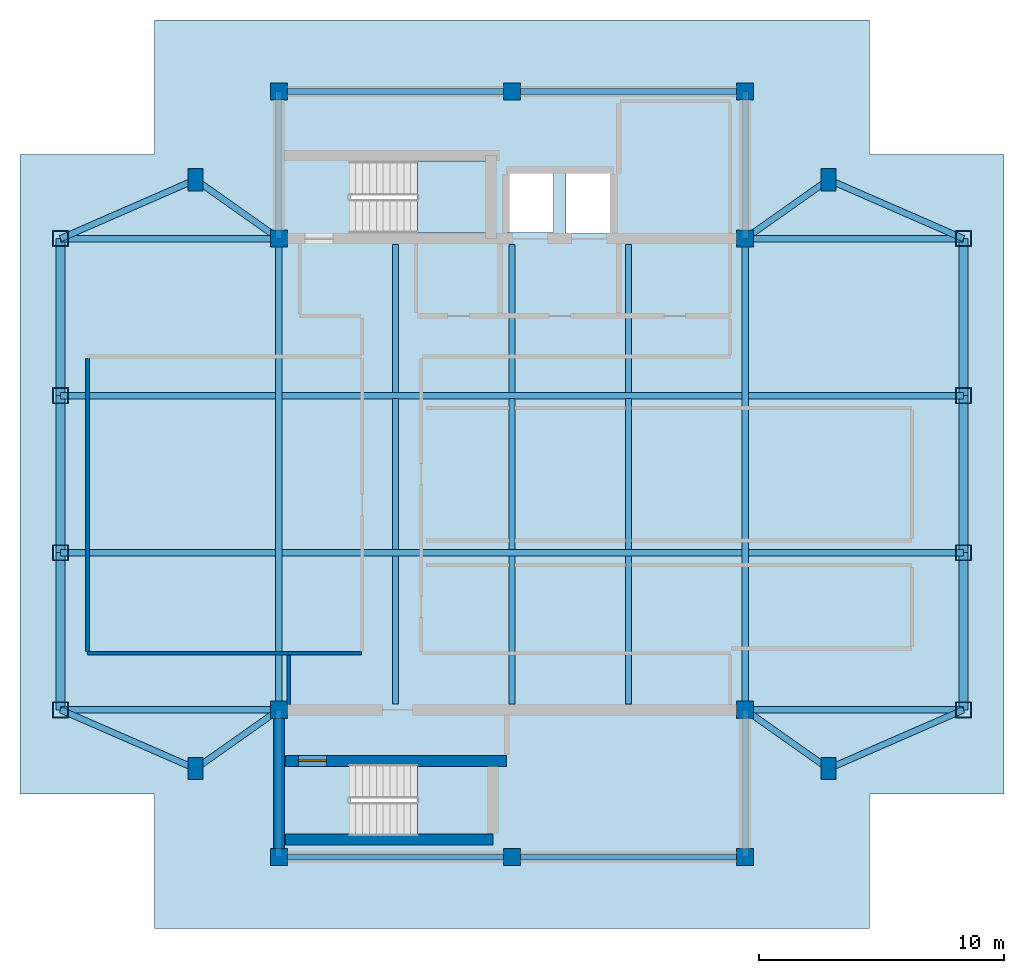
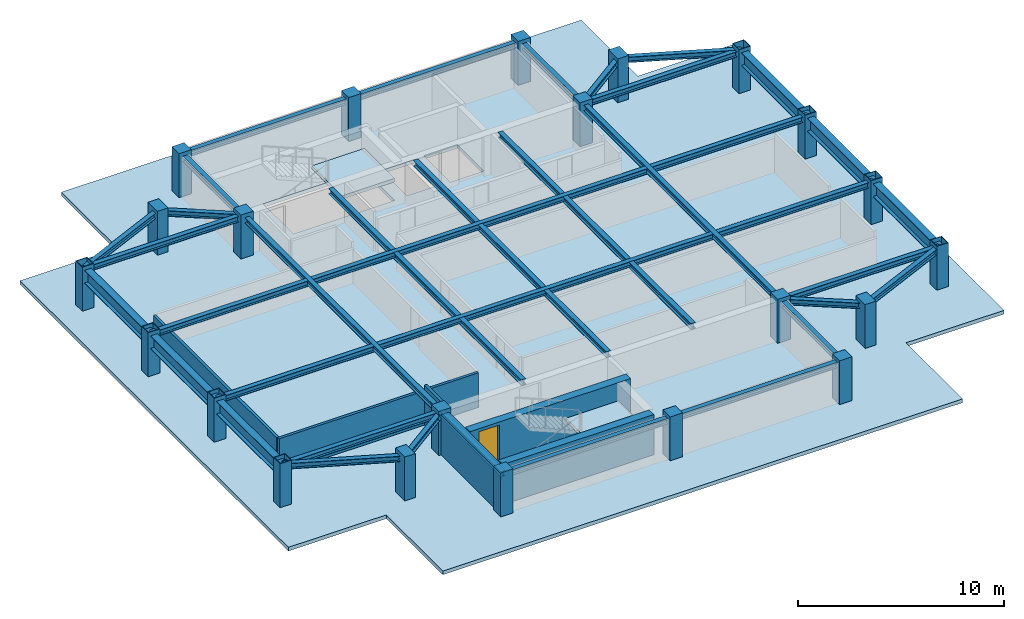
# One storey, part 1 of 4: 43 beams, 22 columns, 6 walls, 3 slabs, 1 door, 1 opening, 2 elements without a shape of their own.
"""IFC4 building model written with IfcOpenShell, lengths in metres."""

from ifc_helpers import new_model, si_unit, direction, frame, frame_2d, origin, origin_2d, place, context, subcontext, project, spatial, polyline, rectangle, hollow_rectangle, i_section, outline, extrude, material, layer, layer_set, material_profile, profile_set, type_object, element, fill, aggregate, save


model = new_model("IFC4")

# Units and contexts
model_context = context("Model", 3, precision=1e-05, world=origin(), true_north=direction((0.0, 1.0)))
body_context = subcontext(model_context, "Body", "Model", "MODEL_VIEW")
ifc_project = project(units=[si_unit("LENGTHUNIT", "METRE"), si_unit("AREAUNIT", "SQUARE_METRE"), si_unit("VOLUMEUNIT", "CUBIC_METRE"), si_unit("PLANEANGLEUNIT", "RADIAN"), si_unit("MASSUNIT", "GRAM", prefix="KILO")], contexts=[model_context])

# Site, building, storey
site_placement = place(None, origin())
site = spatial("IfcSite", under=ifc_project, at=site_placement, CompositionType="ELEMENT")
building_placement = place(site_placement, origin())
building = spatial("IfcBuilding", under=site, at=building_placement, Name="Mirazonda Arch Towers", CompositionType="ELEMENT")
storey_placement = place(building_placement, frame((0.0, 0.0, 268.699951171875)))
storey = spatial("IfcBuildingStorey", under=building, at=storey_placement, Name="L77", CompositionType="ELEMENT", Elevation=268.699951171875)

# Columns
ifc_material_1 = material(Name="Concrete C50/60", Category="concrete")
ifc_material_profile_1 = material_profile(ifc_material_1, rectangle(XDim=0.699951171875, YDim=0.699951171875, at=origin_2d()), Name="RC700x700")
ifc_profile_set_1 = profile_set([ifc_material_profile_1], Name="Concrete C50/60")
column_type_1 = type_object("IfcColumnType", Name="COL-INT-RC700x700", PredefinedType="COLUMN", material=ifc_profile_set_1)
for number, where, z_axis, x_axis, name in (
    (1, (11.0, 12.39990234375, 0.0), (0.0, 0.0, 1.0), (1.0, 0.0, 0.0), "L77 T1 Core Column 01"),
    (2, (20.5, 12.39990234375, 0.0), (0.0, 0.0, 1.0), (1.0, 0.0, 0.0), "L77 T1 Core Column 02"),
    (3, (30.0, 12.39990234375, 0.0), (0.0, 0.0, 1.0), (1.0, 0.0, 0.0), "L77 T1 Core Column 03"),
    (4, (11.0, 18.39990234375, 0.0), (0.0, 0.0, 1.0), (1.0, 0.0, 0.0), "L77 T1 Core Column 04"),
    (5, (30.0, 18.39990234375, 0.0), (0.0, 0.0, 1.0), (1.0, 0.0, 0.0), "L77 T1 Core Column 05"),
    (6, (11.0, 37.60009765625, 0.0), (0.0, 0.0, 1.0), (1.0, 0.0, 0.0), "L77 T1 Core Column 06"),
    (7, (30.0, 37.60009765625, 0.0), (0.0, 0.0, 1.0), (1.0, 0.0, 0.0), "L77 T1 Core Column 07"),
    (8, (11.0, 43.60009765625, 0.0), (0.0, 0.0, 1.0), (1.0, 0.0, 0.0), "L77 T1 Core Column 08"),
    (9, (20.5, 43.60009765625, 0.0), (0.0, 0.0, 1.0), (1.0, 0.0, 0.0), "L77 T1 Core Column 09"),
    (10, (30.0, 43.60009765625, 0.0), (0.0, 0.0, 1.0), (1.0, 0.0, 0.0), "L77 T1 Core Column 10"),
):
    element("IfcColumn", number, at=place(storey_placement, frame(where, z_axis=z_axis, x_axis=x_axis)), inside=storey, type_object=column_type_1, Name=name, PredefinedType="COLUMN", context=body_context, shape_type="SweptSolid", body=[
        extrude(rectangle(XDim=0.699951171875, YDim=0.699951171875, at=origin_2d()), origin(), (0.0, 0.0, 1.0), 2.60009765625),
    ])
ifc_material_2 = material(Name="Steel ASTM A572 Grade 50", Category="steel")
ifc_material_profile_2 = material_profile(ifc_material_2, hollow_rectangle(XDim=0.64990234375, YDim=0.64990234375, WallThickness=0.035888671875, at=origin_2d()), Name="BOX650x650x36")
ifc_profile_set_2 = profile_set([ifc_material_profile_2], Name="Steel ASTM A572 Grade 50")
column_type_2 = type_object("IfcColumnType", Name="MCOL-EXT-BOX650x650x36", PredefinedType="COLUMN", material=ifc_profile_set_2)
for number, where, z_axis, x_axis, name in (
    (11, (2.10009765625, 18.39990234375, 0.0), (0.0, 0.0, 1.0), (1.0, 0.0, 0.0), "L77 T1 Composite Mega-Column 01"),
    (12, (2.10009765625, 24.800048828125, 0.0), (0.0, 0.0, 1.0), (1.0, 0.0, 0.0), "L77 T1 Composite Mega-Column 02"),
    (13, (2.10009765625, 31.199951171875, 0.0), (0.0, 0.0, 1.0), (1.0, 0.0, 0.0), "L77 T1 Composite Mega-Column 03"),
    (14, (2.10009765625, 37.60009765625, 0.0), (0.0, 0.0, 1.0), (1.0, 0.0, 0.0), "L77 T1 Composite Mega-Column 04"),
    (15, (38.89990234375, 18.39990234375, 0.0), (0.0, 0.0, 1.0), (1.0, 0.0, 0.0), "L77 T1 Composite Mega-Column 05"),
    (16, (38.89990234375, 24.800048828125, 0.0), (0.0, 0.0, 1.0), (1.0, 0.0, 0.0), "L77 T1 Composite Mega-Column 06"),
    (17, (38.89990234375, 31.199951171875, 0.0), (0.0, 0.0, 1.0), (1.0, 0.0, 0.0), "L77 T1 Composite Mega-Column 07"),
    (18, (38.89990234375, 37.60009765625, 0.0), (0.0, 0.0, 1.0), (1.0, 0.0, 0.0), "L77 T1 Composite Mega-Column 08"),
):
    element("IfcColumn", number, at=place(storey_placement, frame(where, z_axis=z_axis, x_axis=x_axis)), inside=storey, type_object=column_type_2, Name=name, PredefinedType="COLUMN", context=body_context, shape_type="SweptSolid", body=[
        extrude(hollow_rectangle(XDim=0.64990234375, YDim=0.64990234375, WallThickness=0.035888671875, at=origin_2d()), origin(), (0.0, 0.0, 1.0), 2.60009765625),
    ])
ifc_material_profile_3 = material_profile(ifc_material_1, rectangle(XDim=0.60009765625, YDim=0.89990234375, at=origin_2d()), Name="RC900x600")
ifc_profile_set_3 = profile_set([ifc_material_profile_3], Name="Concrete C50/60")
column_type_3 = type_object("IfcColumnType", Name="PIL-EXT-RC900x600", PredefinedType="PILASTER", material=ifc_profile_set_3)
for number, where, z_axis, x_axis, name in (
    (19, (7.60009765625, 16.0, 0.0), (0.0, 0.0, 1.0), (1.0, 0.0, 0.0), "L77 T1 Corner Pilaster 01"),
    (20, (33.39990234375, 16.0, 0.0), (0.0, 0.0, 1.0), (1.0, 0.0, 0.0), "L77 T1 Corner Pilaster 02"),
    (21, (7.60009765625, 40.0, 0.0), (0.0, 0.0, 1.0), (1.0, 0.0, 0.0), "L77 T1 Corner Pilaster 03"),
    (22, (33.39990234375, 40.0, 0.0), (0.0, 0.0, 1.0), (1.0, 0.0, 0.0), "L77 T1 Corner Pilaster 04"),
):
    element("IfcColumn", number, at=place(storey_placement, frame(where, z_axis=z_axis, x_axis=x_axis)), inside=storey, type_object=column_type_3, Name=name, PredefinedType="PILASTER", context=body_context, shape_type="SweptSolid", body=[
        extrude(rectangle(XDim=0.60009765625, YDim=0.89990234375, at=origin_2d()), origin(), (0.0, 0.0, 1.0), 2.60009765625),
    ])

# Beams
ifc_material_3 = material(Name="Steel ASTM A992 Grade 50", Category="steel")
ifc_material_profile_4 = material_profile(ifc_material_3, i_section(OverallWidth=0.381103515625, OverallDepth=0.77294921875, WebThickness=0.0166015625, FlangeThickness=0.027099609375, at=origin_2d()), Name="W30X173")
ifc_profile_set_4 = profile_set([ifc_material_profile_4], Name="Steel ASTM A992 Grade 50")
beam_type_1 = type_object("IfcBeamType", Name="BM-EXT-W30X173", PredefinedType="USERDEFINED", material=ifc_profile_set_4)
beam_1_placement = place(storey_placement, frame((2.10009765625, 18.39990234375, 1.99365234375), z_axis=(0.0, 1.0, 0.0), x_axis=(-1.0, 0.0, 0.0)))
element("IfcBeam", 23, at=beam_1_placement, inside=storey, type_object=beam_type_1, Name="L77 Floor Beam BMC-T1-L77-NS-W-18", ObjectType="GIRDER", PredefinedType="USERDEFINED", context=body_context, shape_type="SweptSolid", body=[
    extrude(i_section(OverallWidth=0.381103515625, OverallDepth=0.77294921875, WebThickness=0.0166015625, FlangeThickness=0.027099609375, at=origin_2d()), origin(), (0.0, 0.0, 1.0), 6.400146484375),
])
beam_2_placement = place(storey_placement, frame((2.10009765625, 24.800048828125, 1.99365234375), z_axis=(0.0, 1.0, 0.0), x_axis=(-1.0, 0.0, 0.0)))
element("IfcBeam", 24, at=beam_2_placement, inside=storey, type_object=beam_type_1, Name="L77 Floor Beam BMC-T1-L77-NS-W-24", ObjectType="GIRDER", PredefinedType="USERDEFINED", context=body_context, shape_type="SweptSolid", body=[
    extrude(i_section(OverallWidth=0.381103515625, OverallDepth=0.77294921875, WebThickness=0.0166015625, FlangeThickness=0.027099609375, at=origin_2d()), origin(), (0.0, 0.0, 1.0), 6.39990234375),
])
for number, where, z_axis, x_axis, name in (
    (25, (2.10009765625, 31.199951171875, 1.99365234375), (0.0, 1.0, 0.0), (-1.0, 0.0, 0.0), "L77 Floor Beam BMC-T1-L77-NS-W-31"),
    (26, (38.89990234375, 18.39990234375, 1.99365234375), (0.0, 1.0, 0.0), (-1.0, 0.0, 0.0), "L77 Floor Beam BMC-T1-L77-NS-E-18"),
):
    element("IfcBeam", number, at=place(storey_placement, frame(where, z_axis=z_axis, x_axis=x_axis)), inside=storey, type_object=beam_type_1, Name=name, ObjectType="GIRDER", PredefinedType="USERDEFINED", context=body_context, shape_type="SweptSolid", body=[
        extrude(i_section(OverallWidth=0.381103515625, OverallDepth=0.77294921875, WebThickness=0.0166015625, FlangeThickness=0.027099609375, at=origin_2d()), origin(), (0.0, 0.0, 1.0), 6.400146484375),
    ])
beam_3_placement = place(storey_placement, frame((38.89990234375, 24.800048828125, 1.99365234375), z_axis=(0.0, 1.0, 0.0), x_axis=(-1.0, 0.0, 0.0)))
element("IfcBeam", 27, at=beam_3_placement, inside=storey, type_object=beam_type_1, Name="L77 Floor Beam BMC-T1-L77-NS-E-24", ObjectType="GIRDER", PredefinedType="USERDEFINED", context=body_context, shape_type="SweptSolid", body=[
    extrude(i_section(OverallWidth=0.381103515625, OverallDepth=0.77294921875, WebThickness=0.0166015625, FlangeThickness=0.027099609375, at=origin_2d()), origin(), (0.0, 0.0, 1.0), 6.39990234375),
])
beam_4_placement = place(storey_placement, frame((38.89990234375, 31.199951171875, 1.99365234375), z_axis=(0.0, 1.0, 0.0), x_axis=(-1.0, 0.0, 0.0)))
element("IfcBeam", 28, at=beam_4_placement, inside=storey, type_object=beam_type_1, Name="L77 Floor Beam BMC-T1-L77-NS-E-31", ObjectType="GIRDER", PredefinedType="USERDEFINED", context=body_context, shape_type="SweptSolid", body=[
    extrude(i_section(OverallWidth=0.381103515625, OverallDepth=0.77294921875, WebThickness=0.0166015625, FlangeThickness=0.027099609375, at=origin_2d()), origin(), (0.0, 0.0, 1.0), 6.400146484375),
])
ifc_material_profile_5 = material_profile(ifc_material_3, i_section(OverallWidth=0.257080078125, OverallDepth=0.330078125, WebThickness=0.011962890625, FlangeThickness=0.01953125, at=origin_2d()), Name="W10X68")
ifc_profile_set_5 = profile_set([ifc_material_profile_5], Name="Steel ASTM A992 Grade 50")
beam_type_2 = type_object("IfcBeamType", Name="BM-INT-W10X68", PredefinedType="BEAM", material=ifc_profile_set_5)
for number, where, z_axis, x_axis, name in (
    (29, (2.10009765625, 37.60009765625, 2.215087890625), (1.0, 0.0, 0.0), (0.0, 1.0, 0.0), "L77 Floor Beam CBC-T1-L77-NW"),
    (30, (30.0, 37.60009765625, 2.215087890625), (1.0, 0.0, 0.0), (0.0, 1.0, 0.0), "L77 Floor Beam CBC-T1-L77-NE"),
    (31, (2.10009765625, 18.39990234375, 2.215087890625), (1.0, 0.0, 0.0), (0.0, 1.0, 0.0), "L77 Floor Beam CBC-T1-L77-SW"),
    (32, (30.0, 18.39990234375, 2.215087890625), (1.0, 0.0, 0.0), (0.0, 1.0, 0.0), "L77 Floor Beam CBC-T1-L77-SE"),
):
    element("IfcBeam", number, at=place(storey_placement, frame(where, z_axis=z_axis, x_axis=x_axis)), inside=storey, type_object=beam_type_2, Name=name, PredefinedType="BEAM", context=body_context, shape_type="SweptSolid", body=[
        extrude(i_section(OverallWidth=0.257080078125, OverallDepth=0.330078125, WebThickness=0.011962890625, FlangeThickness=0.01953125, at=origin_2d()), origin(), (0.0, 0.0, 1.0), 8.89990234375),
    ])
beam_5_placement = place(storey_placement, frame((11.12841796875, 24.800048828125, 2.215087890625), z_axis=(1.0, 0.0, 0.0), x_axis=(0.0, 1.0, 0.0)))
element("IfcBeam", 33, at=beam_5_placement, inside=storey, type_object=beam_type_2, Name="L77 Floor Beam BMC-T1-L77-GC2", PredefinedType="BEAM", context=body_context, shape_type="SweptSolid", body=[
    extrude(i_section(OverallWidth=0.257080078125, OverallDepth=0.330078125, WebThickness=0.011962890625, FlangeThickness=0.01953125, at=origin_2d()), origin(), (0.0, 0.0, 1.0), 18.7431640625),
])
for number, where, z_axis, x_axis, name in (
    (34, (2.10009765625, 24.800048828125, 2.215087890625), (1.0, 0.0, 0.0), (0.0, 1.0, 0.0), "L77 Floor Beam BMC-T1-L77-GW2"),
    (35, (30.12841796875, 24.800048828125, 2.215087890625), (1.0, 0.0, 0.0), (0.0, 1.0, 0.0), "L77 Floor Beam BMC-T1-L77-GE2"),
):
    element("IfcBeam", number, at=place(storey_placement, frame(where, z_axis=z_axis, x_axis=x_axis)), inside=storey, type_object=beam_type_2, Name=name, PredefinedType="BEAM", context=body_context, shape_type="SweptSolid", body=[
        extrude(i_section(OverallWidth=0.257080078125, OverallDepth=0.330078125, WebThickness=0.011962890625, FlangeThickness=0.01953125, at=origin_2d()), origin(), (0.0, 0.0, 1.0), 8.771484375),
    ])
beam_6_placement = place(storey_placement, frame((11.12841796875, 31.199951171875, 2.215087890625), z_axis=(1.0, 0.0, 0.0), x_axis=(0.0, 1.0, 0.0)))
element("IfcBeam", 36, at=beam_6_placement, inside=storey, type_object=beam_type_2, Name="L77 Floor Beam BMC-T1-L77-GC3", PredefinedType="BEAM", context=body_context, shape_type="SweptSolid", body=[
    extrude(i_section(OverallWidth=0.257080078125, OverallDepth=0.330078125, WebThickness=0.011962890625, FlangeThickness=0.01953125, at=origin_2d()), origin(), (0.0, 0.0, 1.0), 18.7431640625),
])
for number, where, z_axis, x_axis, name in (
    (37, (2.10009765625, 31.199951171875, 2.215087890625), (1.0, 0.0, 0.0), (0.0, 1.0, 0.0), "L77 Floor Beam BMC-T1-L77-GW3"),
    (38, (30.12841796875, 31.199951171875, 2.215087890625), (1.0, 0.0, 0.0), (0.0, 1.0, 0.0), "L77 Floor Beam BMC-T1-L77-GE3"),
):
    element("IfcBeam", number, at=place(storey_placement, frame(where, z_axis=z_axis, x_axis=x_axis)), inside=storey, type_object=beam_type_2, Name=name, PredefinedType="BEAM", context=body_context, shape_type="SweptSolid", body=[
        extrude(i_section(OverallWidth=0.257080078125, OverallDepth=0.330078125, WebThickness=0.011962890625, FlangeThickness=0.01953125, at=origin_2d()), origin(), (0.0, 0.0, 1.0), 8.771484375),
    ])
for number, where, z_axis, x_axis, name in (
    (39, (11.0, 12.39990234375, 2.215087890625), (1.0, 0.0, 0.0), (0.0, 1.0, 0.0), "L77 Floor Beam BMC-T1-L77-CS1"),
    (40, (20.5, 12.39990234375, 2.215087890625), (1.0, 0.0, 0.0), (0.0, 1.0, 0.0), "L77 Floor Beam BMC-T1-L77-CS2"),
    (41, (11.0, 43.60009765625, 2.215087890625), (1.0, 0.0, 0.0), (0.0, 1.0, 0.0), "L77 Floor Beam BMC-T1-L77-CN1"),
    (42, (20.5, 43.60009765625, 2.215087890625), (1.0, 0.0, 0.0), (0.0, 1.0, 0.0), "L77 Floor Beam BMC-T1-L77-CN2"),
):
    element("IfcBeam", number, at=place(storey_placement, frame(where, z_axis=z_axis, x_axis=x_axis)), inside=storey, type_object=beam_type_2, Name=name, PredefinedType="BEAM", context=body_context, shape_type="SweptSolid", body=[
        extrude(i_section(OverallWidth=0.257080078125, OverallDepth=0.330078125, WebThickness=0.011962890625, FlangeThickness=0.01953125, at=origin_2d()), origin(), (0.0, 0.0, 1.0), 9.5),
    ])
for number, where, z_axis, x_axis, name in (
    (43, (11.0, 12.39990234375, 2.215087890625), (0.0, 1.0, 0.0), (-1.0, 0.0, 0.0), "L77 Floor Beam BMC-T1-L77-CSW"),
    (44, (30.0, 12.39990234375, 2.215087890625), (0.0, 1.0, 0.0), (-1.0, 0.0, 0.0), "L77 Floor Beam BMC-T1-L77-CSE"),
    (45, (11.0, 37.60009765625, 2.215087890625), (0.0, 1.0, 0.0), (-1.0, 0.0, 0.0), "L77 Floor Beam BMC-T1-L77-CNW"),
    (46, (30.0, 37.60009765625, 2.215087890625), (0.0, 1.0, 0.0), (-1.0, 0.0, 0.0), "L77 Floor Beam BMC-T1-L77-CNE"),
):
    element("IfcBeam", number, at=place(storey_placement, frame(where, z_axis=z_axis, x_axis=x_axis)), inside=storey, type_object=beam_type_2, Name=name, PredefinedType="BEAM", context=body_context, shape_type="SweptSolid", body=[
        extrude(i_section(OverallWidth=0.257080078125, OverallDepth=0.330078125, WebThickness=0.011962890625, FlangeThickness=0.01953125, at=origin_2d()), origin(), (0.0, 0.0, 1.0), 6.0),
    ])
for number, where, z_axis, x_axis, name in (
    (47, (11.0, 18.39990234375, 2.215087890625), (0.0, 1.0, 0.0), (-1.0, 0.0, 0.0), "L77 Floor Beam BMC-T1-L77-NS-CW-FULL"),
    (48, (30.0, 18.39990234375, 2.215087890625), (0.0, 1.0, 0.0), (-1.0, 0.0, 0.0), "L77 Floor Beam BMC-T1-L77-NS-CE-FULL"),
):
    element("IfcBeam", number, at=place(storey_placement, frame(where, z_axis=z_axis, x_axis=x_axis)), inside=storey, type_object=beam_type_2, Name=name, PredefinedType="BEAM", context=body_context, shape_type="SweptSolid", body=[
        extrude(i_section(OverallWidth=0.257080078125, OverallDepth=0.330078125, WebThickness=0.011962890625, FlangeThickness=0.01953125, at=origin_2d()), origin(), (0.0, 0.0, 1.0), 19.2001953125),
    ])
beam_7_placement = place(storey_placement, frame((7.60009765625, 16.0, 2.215087890625), z_axis=(0.816971114901, 0.576678591087, 0.0), x_axis=(-0.576678591087, 0.816971114901, 0.0)))
element("IfcBeam", 49, at=beam_7_placement, inside=storey, type_object=beam_type_2, Name="L77 Floor Beam BMC-T1-L77-PL-SW1", PredefinedType="BEAM", context=body_context, shape_type="SweptSolid", body=[
    extrude(i_section(OverallWidth=0.257080078125, OverallDepth=0.330078125, WebThickness=0.011962890625, FlangeThickness=0.01953125, at=origin_2d()), origin(), (0.0, 0.0, 1.0), 4.16162109375),
])
beam_8_placement = place(storey_placement, frame((7.60009765625, 16.0, 2.215087890625), z_axis=(-0.916545343703, 0.399930785183, 0.0), x_axis=(-0.399930785183, -0.916545343703, 0.0)))
element("IfcBeam", 50, at=beam_8_placement, inside=storey, type_object=beam_type_2, Name="L77 Floor Beam BMC-T1-L77-PL-SW2", PredefinedType="BEAM", context=body_context, shape_type="SweptSolid", body=[
    extrude(i_section(OverallWidth=0.257080078125, OverallDepth=0.330078125, WebThickness=0.011962890625, FlangeThickness=0.01953125, at=origin_2d()), origin(), (0.0, 0.0, 1.0), 6.000732421875),
])
beam_9_placement = place(storey_placement, frame((33.39990234375, 16.0, 2.215087890625), z_axis=(-0.816971114901, 0.576678591087, 0.0), x_axis=(-0.576678591087, -0.816971114901, 0.0)))
element("IfcBeam", 51, at=beam_9_placement, inside=storey, type_object=beam_type_2, Name="L77 Floor Beam BMC-T1-L77-PL-SE1", PredefinedType="BEAM", context=body_context, shape_type="SweptSolid", body=[
    extrude(i_section(OverallWidth=0.257080078125, OverallDepth=0.330078125, WebThickness=0.011962890625, FlangeThickness=0.01953125, at=origin_2d()), origin(), (0.0, 0.0, 1.0), 4.16162109375),
])
beam_10_placement = place(storey_placement, frame((33.39990234375, 16.0, 2.215087890625), z_axis=(0.916545343703, 0.399930785183, 0.0), x_axis=(-0.399930785183, 0.916545343703, 0.0)))
element("IfcBeam", 52, at=beam_10_placement, inside=storey, type_object=beam_type_2, Name="L77 Floor Beam BMC-T1-L77-PL-SE2", PredefinedType="BEAM", context=body_context, shape_type="SweptSolid", body=[
    extrude(i_section(OverallWidth=0.257080078125, OverallDepth=0.330078125, WebThickness=0.011962890625, FlangeThickness=0.01953125, at=origin_2d()), origin(), (0.0, 0.0, 1.0), 6.000732421875),
])
beam_11_placement = place(storey_placement, frame((7.60009765625, 40.0, 2.215087890625), z_axis=(0.816971114901, -0.576678591087, 0.0), x_axis=(0.576678591087, 0.816971114901, 0.0)))
element("IfcBeam", 53, at=beam_11_placement, inside=storey, type_object=beam_type_2, Name="L77 Floor Beam BMC-T1-L77-PL-NW1", PredefinedType="BEAM", context=body_context, shape_type="SweptSolid", body=[
    extrude(i_section(OverallWidth=0.257080078125, OverallDepth=0.330078125, WebThickness=0.011962890625, FlangeThickness=0.01953125, at=origin_2d()), origin(), (0.0, 0.0, 1.0), 4.16162109375),
])
beam_12_placement = place(storey_placement, frame((7.60009765625, 40.0, 2.215087890625), z_axis=(-0.916545343703, -0.399930785183, 0.0), x_axis=(0.399930785183, -0.916545343703, 0.0)))
element("IfcBeam", 54, at=beam_12_placement, inside=storey, type_object=beam_type_2, Name="L77 Floor Beam BMC-T1-L77-PL-NW2", PredefinedType="BEAM", context=body_context, shape_type="SweptSolid", body=[
    extrude(i_section(OverallWidth=0.257080078125, OverallDepth=0.330078125, WebThickness=0.011962890625, FlangeThickness=0.01953125, at=origin_2d()), origin(), (0.0, 0.0, 1.0), 6.000732421875),
])
beam_13_placement = place(storey_placement, frame((33.39990234375, 40.0, 2.215087890625), z_axis=(-0.816971114901, -0.576678591087, 0.0), x_axis=(0.576678591087, -0.816971114901, 0.0)))
element("IfcBeam", 55, at=beam_13_placement, inside=storey, type_object=beam_type_2, Name="L77 Floor Beam BMC-T1-L77-PL-NE1", PredefinedType="BEAM", context=body_context, shape_type="SweptSolid", body=[
    extrude(i_section(OverallWidth=0.257080078125, OverallDepth=0.330078125, WebThickness=0.011962890625, FlangeThickness=0.01953125, at=origin_2d()), origin(), (0.0, 0.0, 1.0), 4.16162109375),
])
beam_14_placement = place(storey_placement, frame((33.39990234375, 40.0, 2.215087890625), z_axis=(0.916545343703, -0.399930785183, 0.0), x_axis=(0.399930785183, 0.916545343703, 0.0)))
element("IfcBeam", 56, at=beam_14_placement, inside=storey, type_object=beam_type_2, Name="L77 Floor Beam BMC-T1-L77-PL-NE2", PredefinedType="BEAM", context=body_context, shape_type="SweptSolid", body=[
    extrude(i_section(OverallWidth=0.257080078125, OverallDepth=0.330078125, WebThickness=0.011962890625, FlangeThickness=0.01953125, at=origin_2d()), origin(), (0.0, 0.0, 1.0), 6.000732421875),
])
for number, where, z_axis, x_axis, name in (
    (57, (15.75, 18.639892578125, 2.215087890625), (0.0, 1.0, 0.0), (-1.0, 0.0, 0.0), "L77 Floor Beam BMC-T1-L77-J-157-18"),
    (58, (15.75, 31.324462890625, 2.215087890625), (0.0, 1.0, 0.0), (-1.0, 0.0, 0.0), "L77 Floor Beam BMC-T1-L77-J-157-31"),
):
    element("IfcBeam", number, at=place(storey_placement, frame(where, z_axis=z_axis, x_axis=x_axis)), inside=storey, type_object=beam_type_2, Name=name, PredefinedType="BEAM", context=body_context, shape_type="SweptSolid", body=[
        extrude(i_section(OverallWidth=0.257080078125, OverallDepth=0.330078125, WebThickness=0.011962890625, FlangeThickness=0.01953125, at=origin_2d()), origin(), (0.0, 0.0, 1.0), 6.03564453125),
    ])
beam_15_placement = place(storey_placement, frame((15.75, 24.924560546875, 2.215087890625), z_axis=(0.0, 1.0, 0.0), x_axis=(-1.0, 0.0, 0.0)))
element("IfcBeam", 59, at=beam_15_placement, inside=storey, type_object=beam_type_2, Name="L77 Floor Beam BMC-T1-L77-J-157-24", PredefinedType="BEAM", context=body_context, shape_type="SweptSolid", body=[
    extrude(i_section(OverallWidth=0.257080078125, OverallDepth=0.330078125, WebThickness=0.011962890625, FlangeThickness=0.01953125, at=origin_2d()), origin(), (0.0, 0.0, 1.0), 6.15087890625),
])
for number, where, z_axis, x_axis, name in (
    (60, (20.5, 18.639892578125, 2.215087890625), (0.0, 1.0, 0.0), (-1.0, 0.0, 0.0), "L77 Floor Beam BMC-T1-L77-J-205-18"),
    (61, (20.5, 31.324462890625, 2.215087890625), (0.0, 1.0, 0.0), (-1.0, 0.0, 0.0), "L77 Floor Beam BMC-T1-L77-J-205-31"),
):
    element("IfcBeam", number, at=place(storey_placement, frame(where, z_axis=z_axis, x_axis=x_axis)), inside=storey, type_object=beam_type_2, Name=name, PredefinedType="BEAM", context=body_context, shape_type="SweptSolid", body=[
        extrude(i_section(OverallWidth=0.257080078125, OverallDepth=0.330078125, WebThickness=0.011962890625, FlangeThickness=0.01953125, at=origin_2d()), origin(), (0.0, 0.0, 1.0), 6.03564453125),
    ])
beam_16_placement = place(storey_placement, frame((20.5, 24.924560546875, 2.215087890625), z_axis=(0.0, 1.0, 0.0), x_axis=(-1.0, 0.0, 0.0)))
element("IfcBeam", 62, at=beam_16_placement, inside=storey, type_object=beam_type_2, Name="L77 Floor Beam BMC-T1-L77-J-205-24", PredefinedType="BEAM", context=body_context, shape_type="SweptSolid", body=[
    extrude(i_section(OverallWidth=0.257080078125, OverallDepth=0.330078125, WebThickness=0.011962890625, FlangeThickness=0.01953125, at=origin_2d()), origin(), (0.0, 0.0, 1.0), 6.15087890625),
])
for number, where, z_axis, x_axis, name in (
    (63, (25.25, 18.639892578125, 2.215087890625), (0.0, 1.0, 0.0), (-1.0, 0.0, 0.0), "L77 Floor Beam BMC-T1-L77-J-252-18"),
    (64, (25.25, 31.324462890625, 2.215087890625), (0.0, 1.0, 0.0), (-1.0, 0.0, 0.0), "L77 Floor Beam BMC-T1-L77-J-252-31"),
):
    element("IfcBeam", number, at=place(storey_placement, frame(where, z_axis=z_axis, x_axis=x_axis)), inside=storey, type_object=beam_type_2, Name=name, PredefinedType="BEAM", context=body_context, shape_type="SweptSolid", body=[
        extrude(i_section(OverallWidth=0.257080078125, OverallDepth=0.330078125, WebThickness=0.011962890625, FlangeThickness=0.01953125, at=origin_2d()), origin(), (0.0, 0.0, 1.0), 6.03564453125),
    ])
beam_17_placement = place(storey_placement, frame((25.25, 24.924560546875, 2.215087890625), z_axis=(0.0, 1.0, 0.0), x_axis=(-1.0, 0.0, 0.0)))
element("IfcBeam", 65, at=beam_17_placement, inside=storey, type_object=beam_type_2, Name="L77 Floor Beam BMC-T1-L77-J-252-24", PredefinedType="BEAM", context=body_context, shape_type="SweptSolid", body=[
    extrude(i_section(OverallWidth=0.257080078125, OverallDepth=0.330078125, WebThickness=0.011962890625, FlangeThickness=0.01953125, at=origin_2d()), origin(), (0.0, 0.0, 1.0), 6.15087890625),
])

# Stair, slab
ifc_material_4 = material(Name="Concrete C40/50", Category="concrete")
stair_type = type_object("IfcStairType", Name="STAIR-CORE-1400", PredefinedType="HALF_TURN_STAIR", material=ifc_material_4)
stair_1_placement = place(storey_placement, origin())
stair_1 = element("IfcStair", 66, at=stair_1_placement, inside=storey, type_object=stair_type, Name="L77 Protected Exit Stair ST-T1N", PredefinedType="HALF_TURN_STAIR")
ifc_layer_1 = layer(ifc_material_4, 0.18994140625, Name="SLAB-LANDING-190")
ifc_layer_set_1 = layer_set([ifc_layer_1], Name="Concrete C40/50")
slab_type_1 = type_object("IfcSlabType", Name="SLAB-LANDING-190", PredefinedType="LANDING", material=ifc_layer_set_1)
slab_1_placement = place(storey_placement, frame((0.0, 0.0, 1.10009765625)))
slab_1 = element("IfcSlab", 67, at=slab_1_placement, type_object=slab_type_1, Name="ST-T1N landing 1", PredefinedType="LANDING", context=body_context, shape_type="SweptSolid", body=[
    extrude(outline(polyline([(16.64990234375, 37.820068359375), (19.60009765625, 37.820068359375), (19.60009765625, 40.760009765625), (16.64990234375, 40.760009765625), (16.64990234375, 37.820068359375)])), origin(), (0.0, 0.0, 1.0), 0.199951171875),
])
aggregate(stair_1, [slab_1])

stair_2_placement = place(storey_placement, origin())
stair_2 = element("IfcStair", 68, at=stair_2_placement, inside=storey, type_object=stair_type, Name="L77 Protected Exit Stair ST-T1S", PredefinedType="HALF_TURN_STAIR")
slab_2_placement = place(storey_placement, frame((0.0, 0.0, 1.10009765625)))
slab_2 = element("IfcSlab", 69, at=slab_2_placement, type_object=slab_type_1, Name="ST-T1S landing 1", PredefinedType="LANDING", context=body_context, shape_type="SweptSolid", body=[
    extrude(outline(polyline([(16.64990234375, 13.25), (19.60009765625, 13.25), (19.60009765625, 16.18994140625), (16.64990234375, 16.18994140625), (16.64990234375, 13.25)])), origin(), (0.0, 0.0, 1.0), 0.199951171875),
])
aggregate(stair_2, [slab_2])

# Slab
ifc_layer_2 = layer(ifc_material_4, 0.219970703125, Name="SLAB-TWR-220")
ifc_layer_set_2 = layer_set([ifc_layer_2], Name="Concrete C40/50")
slab_type_2 = type_object("IfcSlabType", Name="SLAB-TWR-220", PredefinedType="FLOOR", material=ifc_layer_set_2)
slab_3_placement = place(storey_placement, frame((0.0, 0.0, -0.219970703125)))
element("IfcSlab", 70, at=slab_3_placement, inside=storey, type_object=slab_type_2, Name="L77 Tower 1 Floor Slab", PredefinedType="FLOOR", context=body_context, shape_type="SweptSolid", body=[
    extrude(outline(polyline([(5.93505859375, 9.489990234375), (35.06494140625, 9.489990234375), (35.06494140625, 14.97509765625), (40.550048828125, 14.97509765625), (40.550048828125, 41.02490234375), (35.06494140625, 41.02490234375), (35.06494140625, 46.510009765625), (5.93505859375, 46.510009765625), (5.93505859375, 41.02490234375), (0.449951171875, 41.02490234375), (0.449951171875, 14.97509765625), (5.93505859375, 14.97509765625), (5.93505859375, 9.489990234375)]), holes=[polyline([(22.7099609375, 37.81005859375), (22.7099609375, 40.389892578125), (24.590087890625, 40.389892578125), (24.590087890625, 37.81005859375), (22.7099609375, 37.81005859375)]), polyline([(20.31005859375, 37.860107421875), (20.31005859375, 40.340087890625), (22.18994140625, 40.340087890625), (22.18994140625, 37.860107421875), (20.31005859375, 37.860107421875)]), polyline([(19.60009765625, 13.25), (13.925048828125, 13.25), (13.925048828125, 16.18994140625), (19.60009765625, 16.18994140625), (19.60009765625, 13.25)]), polyline([(19.60009765625, 37.820068359375), (13.925048828125, 37.820068359375), (13.925048828125, 40.760009765625), (19.60009765625, 40.760009765625), (19.60009765625, 37.820068359375)])]), origin(), (0.0, 0.0, 1.0), 0.219970703125),
])

# Walls
ifc_layer_3 = layer(ifc_material_1, 0.449951171875, Name="WALL-CORE-450")
ifc_layer_set_3 = layer_set([ifc_layer_3], Name="Concrete C50/60")
wall_type_1 = type_object("IfcWallType", Name="WALL-CORE-450", PredefinedType="SHEAR", material=ifc_layer_set_3)
wall_1_placement = place(storey_placement, frame((11.0, 12.39990234375, 0.0), z_axis=(0.0, 0.0, 1.0), x_axis=(0.0, 1.0, 0.0)))
element("IfcWall", 71, at=wall_1_placement, inside=storey, type_object=wall_type_1, Name="L77 T1S-W Core Shear Wall", PredefinedType="SHEAR", context=body_context, shape_type="SweptSolid", body=[
    extrude(rectangle(XDim=6.0, YDim=0.449951171875, at=frame_2d((3.0, 0.0))), origin(), (0.0, 0.0, 1.0), 2.380126953125),
])
wall_2_placement = place(storey_placement, frame((11.27001953125, 13.1201171875, 0.0), z_axis=(0.0, 0.0, 1.0), x_axis=(1.0, 0.0, 0.0)))
element("IfcWall", 72, at=wall_2_placement, inside=storey, type_object=wall_type_1, Name="L77 Stair Core Shear Wall 001", PredefinedType="SHEAR", context=body_context, shape_type="SweptSolid", body=[
    extrude(rectangle(XDim=8.4599609375, YDim=0.449951171875, at=frame_2d((4.22998046875, 0.0))), origin(), (0.0, 0.0, 1.0), 2.380126953125),
])

# Wall, opening, door
wall_3_placement = place(storey_placement, frame((11.27001953125, 16.320068359375, 0.0), z_axis=(0.0, 0.0, 1.0), x_axis=(1.0, 0.0, 0.0)))
wall_3 = element("IfcWall", 73, at=wall_3_placement, inside=storey, type_object=wall_type_1, Name="L77 Stair Core Shear Wall 002", PredefinedType="SHEAR", context=body_context, shape_type="SweptSolid", body=[
    extrude(rectangle(XDim=9.010009765625, YDim=0.449951171875, at=frame_2d((4.5048828125, 0.0))), origin(), (0.0, 0.0, 1.0), 2.380126953125),
])
opening_placement = place(wall_3_placement, frame((0.52001953125, 0.0, 0.0)))
opening = element("IfcOpeningElement", 74, at=opening_placement, cuts=wall_3, Name="Opening DR-135", PredefinedType="OPENING", context=body_context, shape_type="SweptSolid", body=[
    extrude(rectangle(XDim=1.14990234375, YDim=2.199951171875, at=frame_2d((0.574951171875, 1.10009765625))), frame((0.0, 0.23486328125, 0.0), z_axis=(0.0, -1.0, 0.0), x_axis=(1.0, 0.0, 0.0)), (0.0, 0.0, 1.0), 0.469970703125),
])
ifc_material_5 = material(Name="Architectural Brushed Steel S355", Category="steel")
door_type = type_object("IfcDoorType", Name="DOOR-STAIR-FD90-1150", OperationType="NOTDEFINED", PredefinedType="DOOR", material=ifc_material_5)
door_placement = place(opening_placement, origin())
door = element("IfcDoor", 75, at=door_placement, inside=storey, type_object=door_type, Name="L77 Protected Exit Stair South Door", OperationType="SINGLE_SWING_LEFT", OverallHeight=2.199951171875, OverallWidth=1.14990234375, PredefinedType="DOOR", context=body_context, shape_type="SweptSolid", body=[
    extrude(rectangle(XDim=1.14990234375, YDim=2.199951171875, at=frame_2d((0.574951171875, 1.10009765625))), frame((0.0, 0.02490234375, 0.0), z_axis=(0.0, -1.0, 0.0), x_axis=(1.0, 0.0, 0.0)), (0.0, 0.0, 1.0), 0.050048828125),
])
fill(opening, door)

# Walls
ifc_material_6 = material(Name="Fire-Rated Gypsum Stud Partition")
ifc_layer_4 = layer(ifc_material_6, 0.14990234375, Name="WALL-PART-CORR-150")
ifc_layer_set_4 = layer_set([ifc_layer_4], Name="Fire-Rated Gypsum Stud Partition")
wall_type_2 = type_object("IfcWallType", Name="WALL-PART-CORR-150", PredefinedType="PARTITIONING", material=ifc_layer_set_4)
wall_4_placement = place(storey_placement, frame((3.199951171875, 20.699951171875, 0.0), z_axis=(0.0, 0.0, 1.0), x_axis=(1.0, 0.0, 0.0)))
element("IfcWall", 76, at=wall_4_placement, inside=storey, type_object=wall_type_2, Name="L77 Interior Partition 003", PredefinedType="PARTITIONING", context=body_context, shape_type="SweptSolid", body=[
    extrude(rectangle(XDim=11.16015625, YDim=0.14990234375, at=frame_2d((5.580078125, 0.0))), origin(), (0.0, 0.0, 1.0), 2.0419921875),
])
wall_5_placement = place(storey_placement, frame((3.199951171875, 20.784912109375, 0.0), z_axis=(0.0, 0.0, 1.0), x_axis=(0.0, 1.0, 0.0)))
element("IfcWall", 77, at=wall_5_placement, inside=storey, type_object=wall_type_2, Name="L77 Interior Partition 015", PredefinedType="PARTITIONING", context=body_context, shape_type="SweptSolid", body=[
    extrude(rectangle(XDim=11.93017578125, YDim=0.14990234375, at=frame_2d((5.965087890625, 0.0))), origin(), (0.0, 0.0, 1.0), 2.0419921875),
])
wall_6_placement = place(storey_placement, frame((11.39990234375, 18.6201171875, 0.0), z_axis=(0.0, 0.0, 1.0), x_axis=(0.0, 1.0, 0.0)))
element("IfcWall", 78, at=wall_6_placement, inside=storey, type_object=wall_type_2, Name="L77 Interior Partition 016", PredefinedType="PARTITIONING", context=body_context, shape_type="SweptSolid", body=[
    extrude(rectangle(XDim=1.994873046875, YDim=0.14990234375, at=frame_2d((0.99755859375, 0.0))), origin(), (0.0, 0.0, 1.0), 2.380126953125),
])

save(model, "model.ifc")
